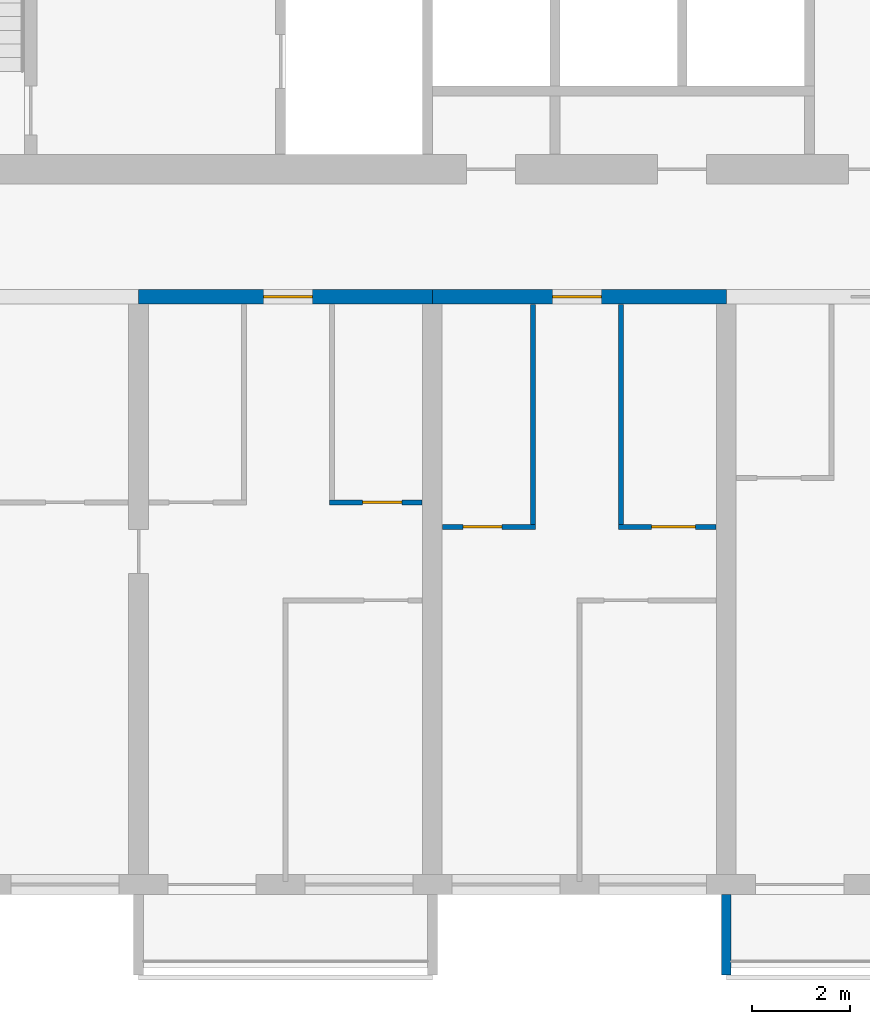
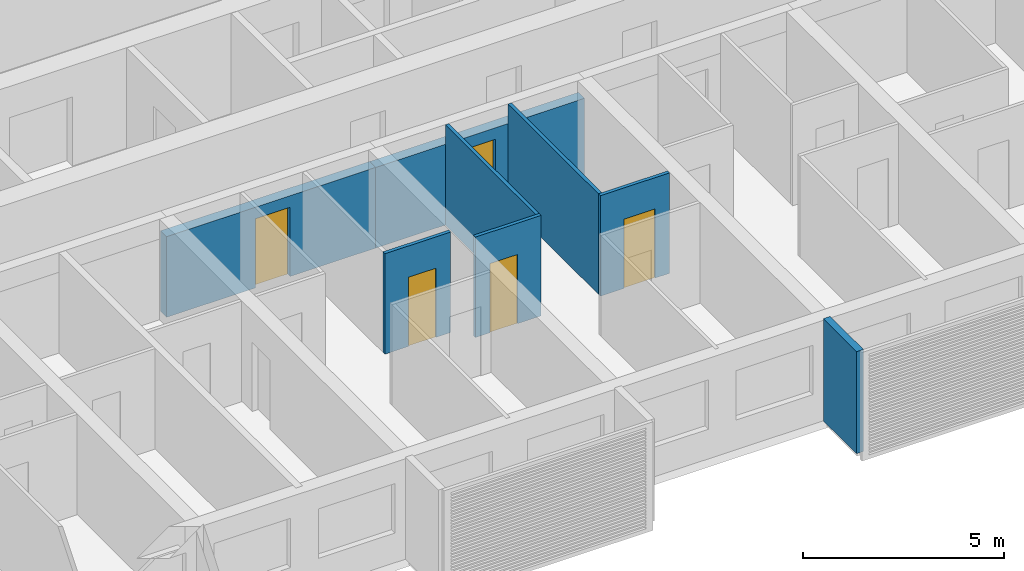
# One storey, part 5 of 44: 8 walls, 5 doors, 5 openings.
"""IFC4 building model written with IfcOpenShell, lengths in metres."""

from ifc_helpers import new_model, si_unit, direction, frame, frame_2d, origin, place, context, subcontext, project, spatial, polyline, rectangle, outline, extrude, source, transform, mapped, material, layer, layer_set, type_object, element, fill, save


model = new_model("IFC4")

# Units and contexts
model_context = context("Model", 3, precision=1e-05, world=origin(), true_north=direction((0.0, 1.0)))
body_context = subcontext(model_context, "Body", "Model", "MODEL_VIEW")
ifc_project = project(units=[si_unit("LENGTHUNIT", "METRE"), si_unit("AREAUNIT", "SQUARE_METRE"), si_unit("VOLUMEUNIT", "CUBIC_METRE"), si_unit("PLANEANGLEUNIT", "RADIAN"), si_unit("MASSUNIT", "GRAM", prefix="KILO")], contexts=[model_context])

# Site, building, storey
site_placement = place(None, origin())
site = spatial("IfcSite", under=ifc_project, at=site_placement, CompositionType="ELEMENT")
building_placement = place(site_placement, origin())
building = spatial("IfcBuilding", under=site, at=building_placement, Name="Poui Terraces", CompositionType="ELEMENT")
storey_placement = place(building_placement, frame((0.0, 0.0, 26.699951171875)))
storey = spatial("IfcBuildingStorey", under=building, at=storey_placement, Name="L06", CompositionType="ELEMENT", Elevation=26.699951171875)

# Wall, opening, door
ifc_material_1 = material(Name="Concrete 80 MPa", Category="concrete")
ifc_layer_1 = layer(ifc_material_1, 0.300048828125)
ifc_layer_set_1 = layer_set([ifc_layer_1], Name="Concrete 80 MPa")
wall_type_1 = type_object("IfcWallType", Name="CORRIDOR WALL 300 80MPa", PredefinedType="SHEAR", material=ifc_layer_set_1)
wall_1_placement = place(storey_placement, frame((36.0, 12.0, 0.0), z_axis=(0.0, 0.0, 1.0), x_axis=(1.0, 0.0, 0.0)))
wall_1 = element("IfcWall", 1, at=wall_1_placement, inside=storey, type_object=wall_type_1, Name="CORRIDOR WALL LINE B BAY 7", PredefinedType="SHEAR", context=body_context, shape_type="SweptSolid", body=[
    extrude(rectangle(XDim=6.0, YDim=0.300048828125, at=frame_2d((3.0, 0.0))), origin(), (0.0, 0.0, 1.0), 2.449951171875),
])
opening_1_placement = place(wall_1_placement, frame((2.550048828125, 0.0, 0.0)))
opening_1 = element("IfcOpeningElement", 2, at=opening_1_placement, cuts=wall_1, Name="Opening FD30S", PredefinedType="OPENING", context=body_context, shape_type="SweptSolid", body=[
    extrude(rectangle(XDim=1.0, YDim=2.10009765625, at=frame_2d((0.5, 1.050048828125))), frame((0.0, 0.16015625, 0.0), z_axis=(0.0, -1.0, 0.0), x_axis=(1.0, 0.0, 0.0)), (0.0, 0.0, 1.0), 0.320068359375),
])
ifc_material_2 = material(Name="Steel fire door", Category="steel")
door_type_1 = type_object("IfcDoorType", Name="FLAT ENTRANCE DOOR 1000 X 2100", OperationType="NOTDEFINED", PredefinedType="DOOR", material=ifc_material_2)
door_1_placement = place(opening_1_placement, frame((1.0, 0.0, 0.0), z_axis=(0.0, 0.0, 1.0), x_axis=(-1.0, 0.0, 0.0)))
door_1 = element("IfcDoor", 3, at=door_1_placement, inside=storey, type_object=door_type_1, Name="FLAT ENTRANCE DOOR 113", OperationType="SINGLE_SWING_LEFT", OverallHeight=2.10009765625, OverallWidth=1.0, PredefinedType="DOOR", context=body_context, shape_type="SweptSolid", body=[
    extrude(rectangle(XDim=1.0, YDim=2.10009765625, at=frame_2d((0.5, 1.050048828125))), frame((0.0, 0.02490234375, 0.0), z_axis=(0.0, -1.0, 0.0), x_axis=(1.0, 0.0, 0.0)), (0.0, 0.0, 1.0), 0.050048828125),
])
fill(opening_1, door_1)

wall_2_placement = place(storey_placement, frame((42.0, 12.0, 0.0), z_axis=(0.0, 0.0, 1.0), x_axis=(1.0, 0.0, 0.0)))
wall_2 = element("IfcWall", 4, at=wall_2_placement, inside=storey, type_object=wall_type_1, Name="CORRIDOR WALL LINE B BAY 8", PredefinedType="SHEAR", context=body_context, shape_type="SweptSolid", body=[
    extrude(rectangle(XDim=6.0, YDim=0.300048828125, at=frame_2d((3.0, 0.0))), origin(), (0.0, 0.0, 1.0), 2.449951171875),
])
opening_2_placement = place(wall_2_placement, frame((2.449951171875, 0.0, 0.0)))
opening_2 = element("IfcOpeningElement", 5, at=opening_2_placement, cuts=wall_2, Name="Opening FD30S", PredefinedType="OPENING", context=body_context, shape_type="SweptSolid", body=[
    extrude(rectangle(XDim=1.0, YDim=2.10009765625, at=frame_2d((0.5, 1.050048828125))), frame((0.0, 0.16015625, 0.0), z_axis=(0.0, -1.0, 0.0), x_axis=(1.0, 0.0, 0.0)), (0.0, 0.0, 1.0), 0.320068359375),
])
door_2_placement = place(opening_2_placement, frame((1.0, 0.0, 0.0), z_axis=(0.0, 0.0, 1.0), x_axis=(-1.0, 0.0, 0.0)))
door_2 = element("IfcDoor", 6, at=door_2_placement, inside=storey, type_object=door_type_1, Name="FLAT ENTRANCE DOOR 117", OperationType="SINGLE_SWING_RIGHT", OverallHeight=2.10009765625, OverallWidth=1.0, PredefinedType="DOOR", context=body_context, shape_type="SweptSolid", body=[
    extrude(rectangle(XDim=1.0, YDim=2.10009765625, at=frame_2d((0.5, 1.050048828125))), frame((0.0, 0.02490234375, 0.0), z_axis=(0.0, -1.0, 0.0), x_axis=(1.0, 0.0, 0.0)), (0.0, 0.0, 1.0), 0.050048828125),
])
fill(opening_2, door_2)

ifc_material_3 = material(Name="Plasterboard partition")
ifc_layer_2 = layer(ifc_material_3, 0.10009765625)
ifc_layer_set_2 = layer_set([ifc_layer_2], Name="Plasterboard partition")
wall_type_2 = type_object("IfcWallType", Name="FLAT PARTITION 100", PredefinedType="PARTITIONING", material=ifc_layer_set_2)
wall_3_placement = place(storey_placement, frame((42.2099609375, 7.300048828125, 0.0), z_axis=(0.0, 0.0, 1.0), x_axis=(1.0, 0.0, 0.0)))
wall_3 = element("IfcWall", 7, at=wall_3_placement, inside=storey, type_object=wall_type_2, Name="FLAT PARTITION 100", PredefinedType="PARTITIONING", context=body_context, shape_type="SweptSolid", body=[
    extrude(rectangle(XDim=1.89013671875, YDim=0.10009765625, at=frame_2d((0.945068359375, 0.0))), origin(), (0.0, 0.0, 1.0), 3.050048828125),
])
opening_3_placement = place(wall_3_placement, frame((0.4150390625, 0.0, 0.0)))
opening_3 = element("IfcOpeningElement", 8, at=opening_3_placement, cuts=wall_3, Name="Opening D80", PredefinedType="OPENING", context=body_context, shape_type="SweptSolid", body=[
    extrude(rectangle(XDim=0.800048828125, YDim=2.10009765625, at=frame_2d((0.39990234375, 1.050048828125))), frame((0.0, 0.06005859375, 0.0), z_axis=(0.0, -1.0, 0.0), x_axis=(1.0, 0.0, 0.0)), (0.0, 0.0, 1.0), 0.1201171875),
])
ifc_material_4 = material(Name="Solid core timber door", Category="wood")
door_type_2 = type_object("IfcDoorType", Name="BATHROOM, LAUNDRY AND STORE DOOR 800 X 2100", OperationType="NOTDEFINED", PredefinedType="DOOR", material=ifc_material_4)
door_3_placement = place(opening_3_placement, origin())
door_3 = element("IfcDoor", 9, at=door_3_placement, inside=storey, type_object=door_type_2, Name="BATHROOM, LAUNDRY AND STORE DOOR 116", OperationType="SINGLE_SWING_RIGHT", OverallHeight=2.10009765625, OverallWidth=0.800048828125, PredefinedType="DOOR", context=body_context, shape_type="SweptSolid", body=[
    extrude(rectangle(XDim=0.800048828125, YDim=2.10009765625, at=frame_2d((0.39990234375, 1.050048828125))), frame((0.0, 0.02490234375, 0.0), z_axis=(0.0, -1.0, 0.0), x_axis=(1.0, 0.0, 0.0)), (0.0, 0.0, 1.0), 0.050048828125),
])
fill(opening_3, door_3)

wall_4_placement = place(storey_placement, frame((45.800048828125, 7.300048828125, 0.0), z_axis=(0.0, 0.0, 1.0), x_axis=(1.0, 0.0, 0.0)))
wall_4 = element("IfcWall", 10, at=wall_4_placement, inside=storey, type_object=wall_type_2, Name="FLAT PARTITION 100", PredefinedType="PARTITIONING", context=body_context, shape_type="SweptSolid", body=[
    extrude(rectangle(XDim=1.989990234375, YDim=0.10009765625, at=frame_2d((0.9951171875, 0.0))), origin(), (0.0, 0.0, 1.0), 3.050048828125),
])
opening_4_placement = place(wall_4_placement, frame((0.675048828125, 0.0, 0.0)))
opening_4 = element("IfcOpeningElement", 11, at=opening_4_placement, cuts=wall_4, Name="Opening D90", PredefinedType="OPENING", context=body_context, shape_type="SweptSolid", body=[
    extrude(rectangle(XDim=0.89990234375, YDim=2.10009765625, at=frame_2d((0.449951171875, 1.050048828125))), frame((0.0, 0.06005859375, 0.0), z_axis=(0.0, -1.0, 0.0), x_axis=(1.0, 0.0, 0.0)), (0.0, 0.0, 1.0), 0.1201171875),
])
door_type_3 = type_object("IfcDoorType", Name="INTERNAL DOOR 900 X 2100", OperationType="NOTDEFINED", PredefinedType="DOOR", material=ifc_material_4)
door_4_placement = place(opening_4_placement, origin())
door_4 = element("IfcDoor", 12, at=door_4_placement, inside=storey, type_object=door_type_3, Name="INTERNAL DOOR 119", OperationType="SINGLE_SWING_LEFT", OverallHeight=2.10009765625, OverallWidth=0.89990234375, PredefinedType="DOOR", context=body_context, shape_type="SweptSolid", body=[
    extrude(rectangle(XDim=0.89990234375, YDim=2.10009765625, at=frame_2d((0.449951171875, 1.050048828125))), frame((0.0, 0.02490234375, 0.0), z_axis=(0.0, -1.0, 0.0), x_axis=(1.0, 0.0, 0.0)), (0.0, 0.0, 1.0), 0.050048828125),
])
fill(opening_4, door_4)

wall_5_placement = place(storey_placement, frame((39.89990234375, 7.800048828125, 0.0), z_axis=(0.0, 0.0, 1.0), x_axis=(1.0, 0.0, 0.0)))
wall_5 = element("IfcWall", 13, at=wall_5_placement, inside=storey, type_object=wall_type_2, Name="FLAT PARTITION 100", PredefinedType="PARTITIONING", context=body_context, shape_type="SweptSolid", body=[
    extrude(rectangle(XDim=1.89013671875, YDim=0.10009765625, at=frame_2d((0.945068359375, 0.0))), origin(), (0.0, 0.0, 1.0), 3.050048828125),
])
opening_5_placement = place(wall_5_placement, frame((0.675048828125, 0.0, 0.0)))
opening_5 = element("IfcOpeningElement", 14, at=opening_5_placement, cuts=wall_5, Name="Opening D80", PredefinedType="OPENING", context=body_context, shape_type="SweptSolid", body=[
    extrude(rectangle(XDim=0.800048828125, YDim=2.10009765625, at=frame_2d((0.39990234375, 1.050048828125))), frame((0.0, 0.06005859375, 0.0), z_axis=(0.0, -1.0, 0.0), x_axis=(1.0, 0.0, 0.0)), (0.0, 0.0, 1.0), 0.1201171875),
])
door_5_placement = place(opening_5_placement, origin())
door_5 = element("IfcDoor", 15, at=door_5_placement, inside=storey, type_object=door_type_2, Name="BATHROOM, LAUNDRY AND STORE DOOR 114", OperationType="SINGLE_SWING_RIGHT", OverallHeight=2.10009765625, OverallWidth=0.800048828125, PredefinedType="DOOR", context=body_context, shape_type="SweptSolid", body=[
    extrude(rectangle(XDim=0.800048828125, YDim=2.10009765625, at=frame_2d((0.39990234375, 1.050048828125))), frame((0.0, 0.02490234375, 0.0), z_axis=(0.0, -1.0, 0.0), x_axis=(1.0, 0.0, 0.0)), (0.0, 0.0, 1.0), 0.050048828125),
])
fill(opening_5, door_5)

# Walls
for number, where, z_axis, x_axis, name in (
    (16, (44.050048828125, 7.35009765625, 0.0), (0.0, 0.0, 1.0), (0.0, 1.0, 0.0), "FLAT PARTITION 100"),
    (17, (45.85009765625, 7.35009765625, 0.0), (0.0, 0.0, 1.0), (0.0, 1.0, 0.0), "FLAT PARTITION 100"),
):
    element("IfcWall", number, at=place(storey_placement, frame(where, z_axis=z_axis, x_axis=x_axis)), inside=storey, type_object=wall_type_2, Name=name, PredefinedType="PARTITIONING", context=body_context, shape_type="SweptSolid", body=[
        extrude(rectangle(XDim=4.489990234375, YDim=0.10009765625, at=frame_2d((2.2451171875, 0.0))), origin(), (0.0, 0.0, 1.0), 3.050048828125),
    ])
ifc_material_5 = material(Name="Precast concrete 40 MPa", Category="concrete")
ifc_layer_3 = layer(ifc_material_5, 0.199951171875)
ifc_layer_set_3 = layer_set([ifc_layer_3], Name="Precast concrete 40 MPa")
wall_type_3 = type_object("IfcWallType", Name="REAR FIN 200", PredefinedType="STANDARD", material=ifc_layer_set_3)
shared_shape = source(origin(), body_context, "Body", "SweptSolid", [
    extrude(outline(polyline([(0.0, 0.0), (0.2001953125, 0.0), (0.2001953125, 1.650146484375), (0.0, 1.650146484375), (0.0, 0.0)])), origin(), (0.0, 0.0, 1.0), 3.10009765625),
])
wall_6_placement = place(storey_placement, frame((47.89990234375, -1.85009765625, 0.0)))
element("IfcWall", 18, at=wall_6_placement, inside=storey, type_object=wall_type_3, Name="REAR FIN", PredefinedType="STANDARD", context=body_context, shape_type="MappedRepresentation", body=[
    mapped(shared_shape, transform((0.0, 0.0, 0.0))),
])

save(model, "model.ifc")
